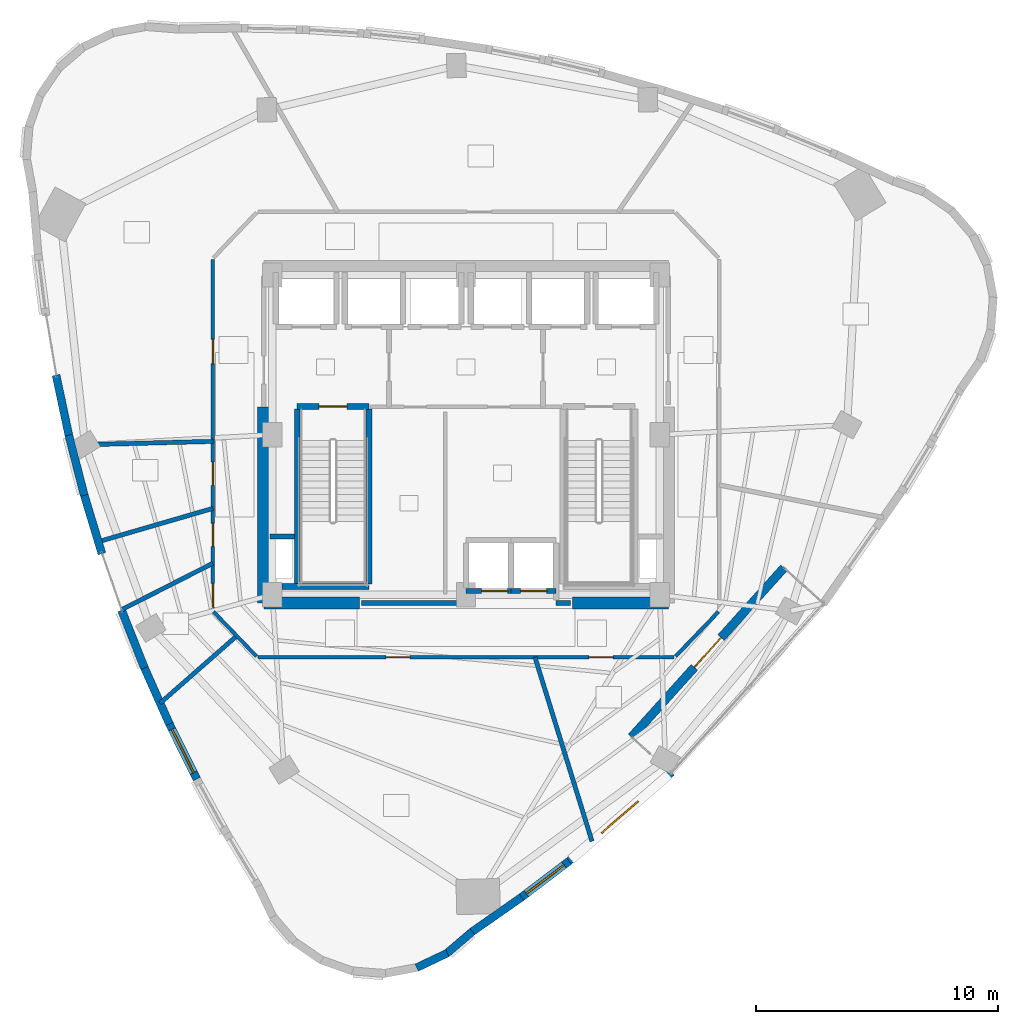
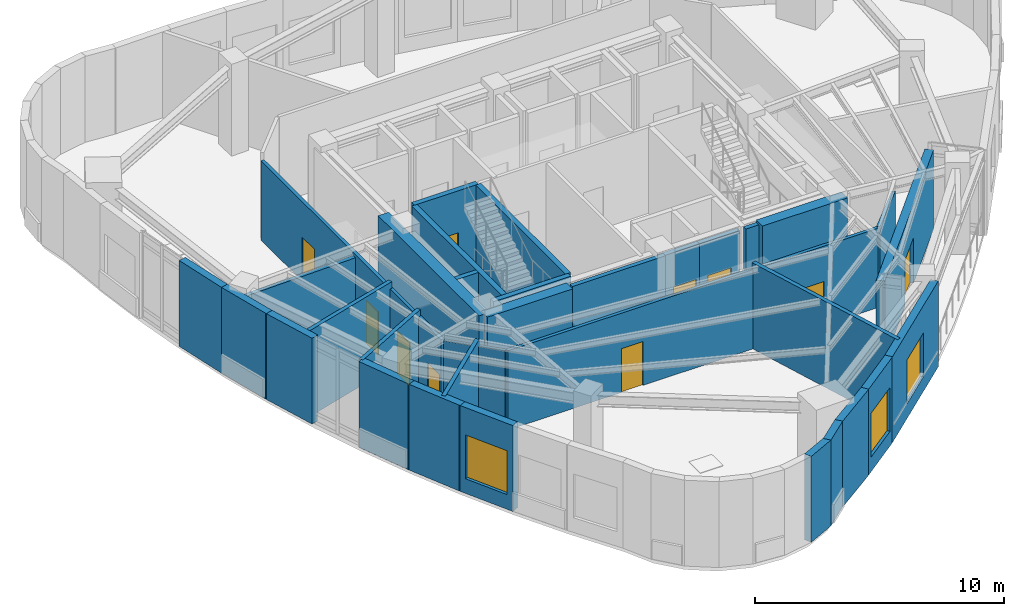
# One storey, part 12 of 18: 33 walls, 10 doors, 3 windows, 13 openings.
"""IFC4 building model written with IfcOpenShell, lengths in metres."""

import ifcopenshell
import ifcopenshell.guid

model = None  # the IFC model being written
_history = None  # IfcOwnerHistory: only IFC2X3 demands one
_inside = {}  # id of a spatial element -> (the spatial element, [elements in it])
_under = {}  # id of a project, library or spatial element -> (it, [spatial elements below it])
_declared = {}  # id of a project -> (the project, [libraries it declares])
_typed = {}  # id of a type object -> (the type object, [elements of that type])
_made_of = {}  # id of a material, layer set ... -> (it, [elements and type objects made of it])


def new_model(schema):
    """Start an empty IFC model of exactly this schema.

    Asked for "IFC4X3", IfcOpenShell would pick the latest addendum, in which some entities
    have other attributes; the version numbers below select the first issue.
    IFC2X3 requires an IfcOwnerHistory on every rooted entity: one is made here for all.
    """
    global model, _history
    if schema == "IFC4X3":
        model = ifcopenshell.file(schema_version=(4, 3, 0, 0))
    else:
        model = ifcopenshell.file(schema=schema)
    _inside.clear()
    _under.clear()
    _declared.clear()
    _typed.clear()
    _made_of.clear()
    _history = None
    if model.schema == "IFC2X3":
        org = make("IfcOrganization", Name="unknown")
        user = make(
            "IfcPersonAndOrganization",
            ThePerson=make("IfcPerson", FamilyName="unknown"),
            TheOrganization=org,
        )
        app = make(
            "IfcApplication",
            ApplicationDeveloper=org,
            Version="unknown",
            ApplicationFullName="unknown",
            ApplicationIdentifier="unknown",
        )
        _history = make(
            "IfcOwnerHistory",
            OwningUser=user,
            OwningApplication=app,
            ChangeAction="ADDED",
            CreationDate=0,
        )
    return model


def make(cls, **values):
    """One entity of the class cls with the attributes given. An attribute that is None is left unset."""
    return model.create_entity(
        cls, **{name: value for name, value in values.items() if value is not None}
    )


def rooted(cls, **values):
    """An entity with a GlobalId (a new one), such as an element, a storey or a relation."""
    return make(cls, GlobalId=ifcopenshell.guid.new(), OwnerHistory=_history, **values)


def si_unit(unit_type, name, prefix=None):
    """IfcSIUnit, for example si_unit("LENGTHUNIT", "METRE", prefix="MILLI")."""
    return make("IfcSIUnit", UnitType=unit_type, Prefix=prefix, Name=name)


def assignment(units):
    """IfcUnitAssignment: the units of a project."""
    return None if units is None else make("IfcUnitAssignment", Units=units)


def point(xyz):
    """IfcCartesianPoint."""
    return None if xyz is None else make("IfcCartesianPoint", Coordinates=xyz)


def direction(xyz):
    """IfcDirection."""
    return None if xyz is None else make("IfcDirection", DirectionRatios=xyz)


def frame(location, z_axis=None, x_axis=None):
    """IfcAxis2Placement3D, a coordinate frame: its origin and axes. An axis left out is left unset."""
    return make(
        "IfcAxis2Placement3D",
        Location=point(location),
        Axis=direction(z_axis),
        RefDirection=direction(x_axis),
    )


def frame_2d(location, x_axis=None):
    """IfcAxis2Placement2D, a coordinate frame in the plane: its origin and x axis."""
    return make(
        "IfcAxis2Placement2D", Location=point(location), RefDirection=direction(x_axis)
    )


def origin():
    """The frame at (0, 0, 0) with its axes left unset."""
    return frame((0.0, 0.0, 0.0))


def place(relative_to, where):
    """IfcLocalPlacement: puts the frame where relative to a parent placement (None: the world)."""
    return make(
        "IfcLocalPlacement", PlacementRelTo=relative_to, RelativePlacement=where
    )


def context(
    kind, dimensions, precision=None, world=None, true_north=None, identifier=None
):
    """IfcGeometricRepresentationContext, for example the 3D "Model" context."""
    return make(
        "IfcGeometricRepresentationContext",
        ContextIdentifier=identifier,
        ContextType=kind,
        CoordinateSpaceDimension=dimensions,
        Precision=precision,
        WorldCoordinateSystem=world,
        TrueNorth=true_north,
    )


def subcontext(parent, identifier, kind, view, scale=None):
    """IfcGeometricRepresentationSubContext, for example "Body" below "Model"."""
    return make(
        "IfcGeometricRepresentationSubContext",
        ContextIdentifier=identifier,
        ContextType=kind,
        ParentContext=parent,
        TargetScale=scale,
        TargetView=view,
    )


def project(units=None, contexts=None):
    """IfcProject with its units and contexts."""
    return rooted(
        "IfcProject",
        Name="project",
        RepresentationContexts=contexts,
        UnitsInContext=assignment(units),
    )


def spatial(cls, under=None, at=None, **own):
    """A site, building, storey or space (cls), placed at a placement, below another one or the project."""
    s = rooted(cls, ObjectPlacement=at, **own)
    if under is not None:
        _under.setdefault(under.id(), (under, []))[1].append(s)
    return s


def profile(cls, at=None, kind="AREA", **sizes):
    """A parametric profile (cls). Its sizes go by their IFC names, for example OverallWidth=200.0."""
    return make(cls, ProfileType=kind, Position=at, **sizes)


def rectangle(**sizes):
    """IfcRectangleProfileDef."""
    return profile("IfcRectangleProfileDef", **sizes)


def extrude(swept, where, along, depth):
    """IfcExtrudedAreaSolid: the profile swept, set in the frame where, extruded along a direction by depth."""
    return make(
        "IfcExtrudedAreaSolid",
        SweptArea=swept,
        Position=where,
        ExtrudedDirection=direction(along),
        Depth=depth,
    )


def shape(context_of_items, identifier, shape_type, items):
    """IfcShapeRepresentation: the items that make up one representation, for example the "Body"."""
    return make(
        "IfcShapeRepresentation",
        ContextOfItems=context_of_items,
        RepresentationIdentifier=identifier,
        RepresentationType=shape_type,
        Items=items,
    )


def material(Name=None, Category=None):
    """IfcMaterial."""
    return make("IfcMaterial", Name=Name, Category=Category)


def layer(
    of_material, thickness, ventilated=None, Name=None, Category=None, Priority=None
):
    """IfcMaterialLayer: one layer of a wall or slab, of a material (None: an air gap)."""
    return make(
        "IfcMaterialLayer",
        Material=of_material,
        LayerThickness=thickness,
        IsVentilated=ventilated,
        Name=Name,
        Category=Category,
        Priority=Priority,
    )


def layer_set(layers, Name=None):
    """IfcMaterialLayerSet."""
    return make("IfcMaterialLayerSet", MaterialLayers=layers, LayerSetName=Name)


def made_of(thing, what):
    """Note that an element or type object is made of a material, layer set ...; save() writes the relation."""
    if what is not None:
        _made_of.setdefault(what.id(), (what, []))[1].append(thing)
    return thing


def type_object(cls, material=None, **own):
    """A type object (cls), such as IfcWallType, which elements share."""
    return made_of(rooted(cls, **own), material)


def element(
    cls,
    number,
    at=None,
    inside=None,
    cuts=None,
    type_object=None,
    material=None,
    context=None,
    identifier="Body",
    shape_type=None,
    held_by="IfcProductDefinitionShape",
    body=None,
    shapes=None,
    **own,
):
    """One element of the class cls, such as IfcWall. Its Tag is "e" and its number.

    at: its placement. inside: the storey or other place that contains it. cuts: it is an
    opening in that element (IfcRelVoidsElement). A single representation is given by context,
    identifier, shape_type and body (its items); several are given by shapes. held_by: the class
    of the entity that holds the representations. save() writes the other relations.
    """
    e = rooted(cls, Tag="e%d" % number, ObjectPlacement=at, **own)
    if body is not None:
        shapes = [shape(context, identifier, shape_type, body)]
    if shapes is not None:
        e.Representation = make(held_by, Representations=shapes)
    if inside is not None:
        _inside.setdefault(inside.id(), (inside, []))[1].append(e)
    if cuts is not None:
        rooted(
            "IfcRelVoidsElement", RelatingBuildingElement=cuts, RelatedOpeningElement=e
        )
    if type_object is not None:
        _typed.setdefault(type_object.id(), (type_object, []))[1].append(e)
    return made_of(e, material)


def fill(opening, filler):
    """IfcRelFillsElement: the door or window that sits in an opening."""
    return rooted(
        "IfcRelFillsElement",
        RelatingOpeningElement=opening,
        RelatedBuildingElement=filler,
    )


def aggregate(whole, parts):
    """IfcRelAggregates: a whole, such as a stair, and the parts it consists of."""
    return rooted("IfcRelAggregates", RelatingObject=whole, RelatedObjects=parts)


def save(model, path):
    """Write the relations noted so far, then the file.

    IfcRelAggregates (storeys below a building ...), IfcRelContainedInSpatialStructure (elements
    in a storey), IfcRelDefinesByType, IfcRelAssociatesMaterial and IfcRelDeclares: one each for
    every whole, place, type object, material and project.
    """
    for whole, parts in _under.values():
        aggregate(whole, parts)
    for where, things in _inside.values():
        rooted(
            "IfcRelContainedInSpatialStructure",
            RelatedElements=things,
            RelatingStructure=where,
        )
    for kind, things in _typed.values():
        rooted("IfcRelDefinesByType", RelatedObjects=things, RelatingType=kind)
    for what, things in _made_of.values():
        rooted("IfcRelAssociatesMaterial", RelatedObjects=things, RelatingMaterial=what)
    for by, libraries in _declared.values():
        rooted("IfcRelDeclares", RelatingContext=by, RelatedDefinitions=libraries)
    model.write(path)


model = new_model("IFC4")

# Units and contexts
model_context = context("Model", 3, precision=1e-05, world=origin(), true_north=direction((0.0, 1.0)))
body_context = subcontext(model_context, "Body", "Model", "MODEL_VIEW")
ifc_project = project(units=[si_unit("LENGTHUNIT", "METRE"), si_unit("AREAUNIT", "SQUARE_METRE"), si_unit("VOLUMEUNIT", "CUBIC_METRE"), si_unit("PLANEANGLEUNIT", "RADIAN"), si_unit("MASSUNIT", "GRAM", prefix="KILO")], contexts=[model_context])

# Site, building, storey
site_placement = place(None, origin())
site = spatial("IfcSite", under=ifc_project, at=site_placement, CompositionType="ELEMENT")
building_placement = place(site_placement, origin())
building = spatial("IfcBuilding", under=site, at=building_placement, Name="Ndelora Gate Hotel", CompositionType="ELEMENT")
storey_placement = place(building_placement, frame((0.0, 0.0, 173.75)))
storey = spatial("IfcBuildingStorey", under=building, at=storey_placement, Name="L43", CompositionType="ELEMENT", Elevation=173.75)

# Walls
ifc_material_1 = material(Name="Acoustic Double-Stud Gypsum Assembly", Category="gypsum")
ifc_layer_1 = layer(ifc_material_1, 0.179931640625)
ifc_layer_set_1 = layer_set([ifc_layer_1], Name="Acoustic Double-Stud Gypsum Assembly")
wall_type_1 = type_object("IfcWallType", Name="WL-ACOUST-180", PredefinedType="PARTITIONING", material=ifc_layer_set_1)
wall_1_placement = place(storey_placement, frame((-9.464111328125, -8.3037109375, 0.0), z_axis=(0.0, 0.0, 1.0), x_axis=(-0.751703129052, -0.659501634398, 0.0)))
element("IfcWall", 1, at=wall_1_placement, inside=storey, type_object=wall_type_1, Name="L43 Interior Wall IW-3", PredefinedType="PARTITIONING", context=body_context, shape_type="SweptSolid", body=[
    extrude(rectangle(XDim=4.210205078125, YDim=0.179931640625, at=frame_2d((2.10498046875, 0.0))), origin(), (0.0, 0.0, 1.0), 4.2099609375),
])
wall_2_placement = place(storey_placement, frame((2.84521484375, -9.179931640625, 0.0), z_axis=(0.0, 0.0, 1.0), x_axis=(0.296001653507, -0.955187427221, 0.0)))
element("IfcWall", 2, at=wall_2_placement, inside=storey, type_object=wall_type_1, Name="L43 Interior Wall IW-3", PredefinedType="PARTITIONING", context=body_context, shape_type="SweptSolid", body=[
    extrude(rectangle(XDim=7.95849609375, YDim=0.179931640625, at=frame_2d((3.979248046875, 0.0))), origin(), (0.0, 0.0, 1.0), 4.2099609375),
])
wall_3_placement = place(storey_placement, frame((-10.449951171875, -0.272705078125, 0.0), z_axis=(0.0, 0.0, 1.0), x_axis=(-0.999660448282, -0.026057400883, 0.0)))
element("IfcWall", 3, at=wall_3_placement, inside=storey, type_object=wall_type_1, Name="L43 Interior Wall IW-3", PredefinedType="PARTITIONING", context=body_context, shape_type="SweptSolid", body=[
    extrude(rectangle(XDim=5.846435546875, YDim=0.179931640625, at=frame_2d((2.92333984375, 0.0))), origin(), (0.0, 0.0, 1.0), 3.739990234375),
])
wall_4_placement = place(storey_placement, frame((-10.449951171875, -3.0390625, 0.0), z_axis=(0.0, 0.0, 1.0), x_axis=(-0.960221623397, -0.279239026573, 0.0)))
element("IfcWall", 4, at=wall_4_placement, inside=storey, type_object=wall_type_1, Name="L43 Interior Wall IW-3", PredefinedType="PARTITIONING", context=body_context, shape_type="SweptSolid", body=[
    extrude(rectangle(XDim=4.928466796875, YDim=0.179931640625, at=frame_2d((2.46435546875, 0.0))), origin(), (0.0, 0.0, 1.0), 4.2099609375),
])
wall_5_placement = place(storey_placement, frame((-10.449951171875, -5.306640625, 0.0), z_axis=(0.0, 0.0, 1.0), x_axis=(-0.891631325456, -0.452762166557, 0.0)))
element("IfcWall", 5, at=wall_5_placement, inside=storey, type_object=wall_type_1, Name="L43 Interior Wall IW-3", PredefinedType="PARTITIONING", context=body_context, shape_type="SweptSolid", body=[
    extrude(rectangle(XDim=4.235107421875, YDim=0.179931640625, at=frame_2d((2.11767578125, 0.0))), origin(), (0.0, 0.0, 1.0), 4.2099609375),
])
ifc_material_2 = material(Name="Clay Brick Masonry", Category="masonry")
ifc_layer_2 = layer(ifc_material_2, 0.330078125)
ifc_layer_set_2 = layer_set([ifc_layer_2], Name="Clay Brick Masonry")
wall_type_2 = type_object("IfcWallType", Name="WL-BRICK-330", PredefinedType="SOLIDWALL", material=ifc_layer_set_2)
wall_6_placement = place(storey_placement, frame((-16.388916015625, -0.061279296875, 0.0), z_axis=(0.0, 0.0, 1.0), x_axis=(-0.208022879961, 0.978123960146, 0.0)))
element("IfcWall", 6, at=wall_6_placement, inside=storey, type_object=wall_type_2, Name="L43 Tower Brick Pier-and-Spandrel Wall TWR-12", PredefinedType="SOLIDWALL", context=body_context, shape_type="SweptSolid", body=[
    extrude(rectangle(XDim=2.57958984375, YDim=0.330078125, at=frame_2d((1.289794921875, 0.0))), origin(), (0.0, 0.0, 1.0), 4.2099609375),
])
wall_7_placement = place(storey_placement, frame((-15.760986328125, -2.502197265625, 0.0), z_axis=(0.0, 0.0, 1.0), x_axis=(-0.248743226802, 0.968569464272, 0.0)))
element("IfcWall", 7, at=wall_7_placement, inside=storey, type_object=wall_type_2, Name="L43 Tower Brick Pier-and-Spandrel Wall TWR-13", PredefinedType="SOLIDWALL", context=body_context, shape_type="SweptSolid", body=[
    extrude(rectangle(XDim=2.570556640625, YDim=0.330078125, at=frame_2d((1.28515625, 0.0))), origin(), (0.0, 0.0, 1.0), 4.2099609375),
])
wall_8_placement = place(storey_placement, frame((-15.032958984375, -4.91064453125, 0.0), z_axis=(0.0, 0.0, 1.0), x_axis=(-0.288953589152, 0.957343106371, 0.0)))
element("IfcWall", 8, at=wall_8_placement, inside=storey, type_object=wall_type_2, Name="L43 Tower Brick Pier-and-Spandrel Wall TWR-14", PredefinedType="SOLIDWALL", context=body_context, shape_type="SweptSolid", body=[
    extrude(rectangle(XDim=2.56591796875, YDim=0.330078125, at=frame_2d((1.282958984375, 0.0))), origin(), (0.0, 0.0, 1.0), 4.2099609375),
])
wall_9_placement = place(storey_placement, frame((-13.275390625, -9.629638671875, 0.0), z_axis=(0.0, 0.0, 1.0), x_axis=(-0.368145960329, 0.929768009717, 0.0)))
element("IfcWall", 9, at=wall_9_placement, inside=storey, type_object=wall_type_2, Name="L43 Tower Brick Pier-and-Spandrel Wall TWR-16", PredefinedType="SOLIDWALL", context=body_context, shape_type="SweptSolid", body=[
    extrude(rectangle(XDim=2.5703125, YDim=0.330078125, at=frame_2d((1.28515625, 0.0))), origin(), (0.0, 0.0, 1.0), 4.2099609375),
])
wall_10_placement = place(storey_placement, frame((-12.24609375, -11.940185546875, 0.0), z_axis=(0.0, 0.0, 1.0), x_axis=(-0.406630213632, 0.913592835656, 0.0)))
element("IfcWall", 10, at=wall_10_placement, inside=storey, type_object=wall_type_2, Name="L43 Tower Brick Pier-and-Spandrel Wall TWR-17", PredefinedType="SOLIDWALL", context=body_context, shape_type="SweptSolid", body=[
    extrude(rectangle(XDim=2.579345703125, YDim=0.330078125, at=frame_2d((1.28955078125, 0.0))), origin(), (0.0, 0.0, 1.0), 4.2099609375),
])

# Wall, opening, window
wall_11_placement = place(storey_placement, frame((-11.116455078125, -14.218017578125, 0.0), z_axis=(0.0, 0.0, 1.0), x_axis=(-0.44393335953, 0.896059803973, 0.0)))
wall_11 = element("IfcWall", 11, at=wall_11_placement, inside=storey, type_object=wall_type_2, Name="L43 Tower Brick Pier-and-Spandrel Wall TWR-18", PredefinedType="SOLIDWALL", context=body_context, shape_type="SweptSolid", body=[
    extrude(rectangle(XDim=2.592529296875, YDim=0.330078125, at=frame_2d((1.29638671875, 0.0))), origin(), (0.0, 0.0, 1.0), 4.2099609375),
])
opening_1_placement = place(wall_11_placement, frame((0.296142578125, 0.0, 0.719970703125)))
opening_1 = element("IfcOpeningElement", 12, at=opening_1_placement, cuts=wall_11, Name="Opening W05", PredefinedType="OPENING", context=body_context, shape_type="SweptSolid", body=[
    extrude(rectangle(XDim=2.0, YDim=2.14990234375, at=frame_2d((1.0, 1.074951171875))), frame((0.0, 0.175048828125, 0.0), z_axis=(0.0, -1.0, 0.0), x_axis=(1.0, 0.0, 0.0)), (0.0, 0.0, 1.0), 0.35009765625),
])
ifc_material_3 = material(Name="Insulated Low-E Double Glazing in Bronze Aluminium Frame", Category="aluminium")
window_type = type_object("IfcWindowType", Name="WN-SKY-2000", PartitioningType="SINGLE_PANEL", PredefinedType="WINDOW", material=ifc_material_3)
window_1_placement = place(opening_1_placement, origin())
window_1 = element("IfcWindow", 13, at=window_1_placement, inside=storey, type_object=window_type, Name="L43 Deep-Set Brick-Pier Window W05", OverallHeight=2.14990234375, OverallWidth=2.0, PartitioningType="SINGLE_PANEL", PredefinedType="WINDOW", context=body_context, shape_type="SweptSolid", body=[
    extrude(rectangle(XDim=2.0, YDim=2.14990234375, at=frame_2d((1.0, 1.074951171875))), frame((0.0, 0.030029296875, 0.0), z_axis=(0.0, -1.0, 0.0), x_axis=(1.0, 0.0, 0.0)), (0.0, 0.0, 1.0), 0.06005859375),
])
fill(opening_1, window_1)

# Walls
wall_12_placement = place(storey_placement, frame((-0.768798828125, -21.397705078125, 0.0), z_axis=(0.0, 0.0, 1.0), x_axis=(-0.902597460438, -0.43048556818, 0.0)))
element("IfcWall", 14, at=wall_12_placement, inside=storey, type_object=wall_type_2, Name="L43 Tower Brick Pier-and-Spandrel Wall TWR-27", PredefinedType="SOLIDWALL", context=body_context, shape_type="SweptSolid", body=[
    extrude(rectangle(XDim=1.40771484375, YDim=0.330078125, at=frame_2d((0.703857421875, 0.0))), origin(), (0.0, 0.0, 1.0), 4.2099609375),
])
wall_13_placement = place(storey_placement, frame((0.259765625, -20.5107421875, 0.0), z_axis=(0.0, 0.0, 1.0), x_axis=(-0.760357614302, -0.649504656159, 0.0)))
element("IfcWall", 15, at=wall_13_placement, inside=storey, type_object=wall_type_2, Name="L43 Tower Brick Pier-and-Spandrel Wall TWR-28", PredefinedType="SOLIDWALL", context=body_context, shape_type="SweptSolid", body=[
    extrude(rectangle(XDim=1.4072265625, YDim=0.330078125, at=frame_2d((0.70361328125, 0.0))), origin(), (0.0, 0.0, 1.0), 4.2099609375),
])
wall_14_placement = place(storey_placement, frame((2.29296875, -19.09228515625, 0.0), z_axis=(0.0, 0.0, 1.0), x_axis=(-0.819594578162, -0.572943913003, 0.0)))
element("IfcWall", 16, at=wall_14_placement, inside=storey, type_object=wall_type_2, Name="L43 Tower Brick Pier-and-Spandrel Wall TWR-29", PredefinedType="SOLIDWALL", context=body_context, shape_type="SweptSolid", body=[
    extrude(rectangle(XDim=2.529052734375, YDim=0.330078125, at=frame_2d((1.2646484375, 0.0))), origin(), (0.0, 0.0, 1.0), 4.2099609375),
])

# Wall, opening, window
wall_15_placement = place(storey_placement, frame((4.251708984375, -17.60595703125, 0.0), z_axis=(0.0, 0.0, 1.0), x_axis=(-0.7968948115, -0.60411808399, 0.0)))
wall_15 = element("IfcWall", 17, at=wall_15_placement, inside=storey, type_object=wall_type_2, Name="L43 Tower Brick Pier-and-Spandrel Wall TWR-30", PredefinedType="SOLIDWALL", context=body_context, shape_type="SweptSolid", body=[
    extrude(rectangle(XDim=2.5087890625, YDim=0.330078125, at=frame_2d((1.25439453125, 0.0))), origin(), (0.0, 0.0, 1.0), 4.2099609375),
])
opening_2_placement = place(wall_15_placement, frame((0.260009765625, 0.0, 0.719970703125)))
opening_2 = element("IfcOpeningElement", 18, at=opening_2_placement, cuts=wall_15, Name="Opening W05", PredefinedType="OPENING", context=body_context, shape_type="SweptSolid", body=[
    extrude(rectangle(XDim=1.949951171875, YDim=2.14990234375, at=frame_2d((0.97509765625, 1.074951171875))), frame((0.0, 0.175048828125, 0.0), z_axis=(0.0, -1.0, 0.0), x_axis=(1.0, 0.0, 0.0)), (0.0, 0.0, 1.0), 0.35009765625),
])
window_2_placement = place(opening_2_placement, origin())
window_2 = element("IfcWindow", 19, at=window_2_placement, inside=storey, type_object=window_type, Name="L43 Deep-Set Brick-Pier Window W05", OverallHeight=2.14990234375, OverallWidth=1.949951171875, PartitioningType="SINGLE_PANEL", PredefinedType="WINDOW", context=body_context, shape_type="SweptSolid", body=[
    extrude(rectangle(XDim=1.949951171875, YDim=2.14990234375, at=frame_2d((0.97509765625, 1.074951171875))), frame((0.0, 0.030029296875, 0.0), z_axis=(0.0, -1.0, 0.0), x_axis=(1.0, 0.0, 0.0)), (0.0, 0.0, 1.0), 0.06005859375),
])
fill(opening_2, window_2)

wall_16_placement = place(storey_placement, frame((8.4892578125, -13.934814453125, 0.0), z_axis=(0.0, 0.0, 1.0), x_axis=(-0.755999446819, -0.654572254536, 0.0)))
wall_16 = element("IfcWall", 20, at=wall_16_placement, inside=storey, type_object=wall_type_2, Name="L43 Tower Brick Pier-and-Spandrel Wall TWR-31", PredefinedType="SOLIDWALL", context=body_context, shape_type="SweptSolid", body=[
    extrude(rectangle(XDim=5.656494140625, YDim=0.330078125, at=frame_2d((2.828125, 0.0))), origin(), (0.0, 0.0, 1.0), 4.2099609375),
])
opening_3_placement = place(wall_16_placement, frame((1.828369140625, 0.0, 0.719970703125)))
opening_3 = element("IfcOpeningElement", 21, at=opening_3_placement, cuts=wall_16, Name="Opening W05", PredefinedType="OPENING", context=body_context, shape_type="SweptSolid", body=[
    extrude(rectangle(XDim=2.0, YDim=2.14990234375, at=frame_2d((1.0, 1.074951171875))), frame((0.0, 0.175048828125, 0.0), z_axis=(0.0, -1.0, 0.0), x_axis=(1.0, 0.0, 0.0)), (0.0, 0.0, 1.0), 0.35009765625),
])
window_3_placement = place(opening_3_placement, origin())
window_3 = element("IfcWindow", 22, at=window_3_placement, inside=storey, type_object=window_type, Name="L43 Deep-Set Brick-Pier Window W05", OverallHeight=2.14990234375, OverallWidth=2.0, PartitioningType="SINGLE_PANEL", PredefinedType="WINDOW", context=body_context, shape_type="SweptSolid", body=[
    extrude(rectangle(XDim=2.0, YDim=2.14990234375, at=frame_2d((1.0, 1.074951171875))), frame((0.0, 0.030029296875, 0.0), z_axis=(0.0, -1.0, 0.0), x_axis=(1.0, 0.0, 0.0)), (0.0, 0.0, 1.0), 0.06005859375),
])
fill(opening_3, window_3)

# Wall, opening, door
ifc_layer_3 = layer(ifc_material_2, 0.360107421875)
ifc_layer_set_3 = layer_set([ifc_layer_3], Name="Clay Brick Masonry")
wall_type_3 = type_object("IfcWallType", Name="WL-BRICK-360", PredefinedType="SOLIDWALL", material=ifc_layer_set_3)
wall_17_placement = place(storey_placement, frame((13.125244140625, -5.49365234375, 0.0), z_axis=(0.0, 0.0, 1.0), x_axis=(-0.669139779012, -0.743136566281, 0.0)))
wall_17 = element("IfcWall", 23, at=wall_17_placement, inside=storey, type_object=wall_type_3, Name="L43 Sky-Garden Loggia Rear Brick Wall", PredefinedType="SOLIDWALL", context=body_context, shape_type="SweptSolid", body=[
    extrude(rectangle(XDim=9.39990234375, YDim=0.360107421875, at=frame_2d((4.699951171875, 0.0))), origin(), (0.0, 0.0, 1.0), 3.889892578125),
])
opening_4_placement = place(wall_17_placement, frame((3.875, 0.0, 0.0)))
opening_4 = element("IfcOpeningElement", 24, at=opening_4_placement, cuts=wall_17, Name="Opening TD1", PredefinedType="OPENING", context=body_context, shape_type="SweptSolid", body=[
    extrude(rectangle(XDim=1.64990234375, YDim=2.25, at=frame_2d((0.824951171875, 1.125))), frame((0.0, 0.18994140625, 0.0), z_axis=(0.0, -1.0, 0.0), x_axis=(1.0, 0.0, 0.0)), (0.0, 0.0, 1.0), 0.380126953125),
])
ifc_material_4 = material(Name="Architectural Bronze Glazed Door", Category="metal")
door_type_1 = type_object("IfcDoorType", Name="DR-TER-1650", OperationType="DOUBLE_DOOR_SINGLE_SWING", PredefinedType="DOOR", material=ifc_material_4)
door_1_placement = place(opening_4_placement, origin())
door_1 = element("IfcDoor", 25, at=door_1_placement, inside=storey, type_object=door_type_1, Name="L43 Sky-Garden Terrace Double Door TD1", OperationType="DOUBLE_DOOR_SINGLE_SWING", OverallHeight=2.25, OverallWidth=1.64990234375, PredefinedType="DOOR", context=body_context, shape_type="SweptSolid", body=[
    extrude(rectangle(XDim=1.64990234375, YDim=2.25, at=frame_2d((0.824951171875, 1.125))), frame((0.0, 0.02490234375, 0.0), z_axis=(0.0, -1.0, 0.0), x_axis=(1.0, 0.0, 0.0)), (0.0, 0.0, 1.0), 0.050048828125),
])
fill(opening_4, door_1)

# Walls
ifc_material_5 = material(Name="Concrete C50/60", Category="concrete")
ifc_layer_4 = layer(ifc_material_5, 0.5)
ifc_layer_set_4 = layer_set([ifc_layer_4], Name="Concrete C50/60")
wall_type_4 = type_object("IfcWallType", Name="WL-CORE-500", PredefinedType="SHEAR", material=ifc_layer_set_4)
for number, where, z_axis, x_axis, name in (
    (26, (-8.35009765625, -6.949951171875, 0.0), (0.0, 0.0, 1.0), (1.0, 0.0, 0.0), "L43 Core Shear Wall S-W"),
    (27, (4.39990234375, -6.949951171875, 0.0), (0.0, 0.0, 1.0), (1.0, 0.0, 0.0), "L43 Core Shear Wall S-E"),
):
    element("IfcWall", number, at=place(storey_placement, frame(where, z_axis=z_axis, x_axis=x_axis)), inside=storey, type_object=wall_type_4, Name=name, PredefinedType="SHEAR", context=body_context, shape_type="SweptSolid", body=[
        extrude(rectangle(XDim=3.9501953125, YDim=0.5, at=frame_2d((1.97509765625, 0.0))), origin(), (0.0, 0.0, 1.0), 4.2099609375),
    ])
wall_18_placement = place(storey_placement, frame((-8.35009765625, -6.949951171875, 0.0), z_axis=(0.0, 0.0, 1.0), x_axis=(0.0, 1.0, 0.0)))
element("IfcWall", 28, at=wall_18_placement, inside=storey, type_object=wall_type_4, Name="L43 Core Shear Wall W", PredefinedType="SHEAR", context=body_context, shape_type="SweptSolid", body=[
    extrude(rectangle(XDim=8.099853515625, YDim=0.5, at=frame_2d((4.0498046875, 0.0))), origin(), (0.0, 0.0, 1.0), 4.2099609375),
])
ifc_material_6 = material(Name="Concrete C40/50", Category="concrete")
ifc_layer_5 = layer(ifc_material_6, 0.199951171875)
ifc_layer_set_5 = layer_set([ifc_layer_5], Name="Concrete C40/50")
wall_type_5 = type_object("IfcWallType", Name="WL-FIRE-200", PredefinedType="PARTITIONING", material=ifc_layer_set_5)
wall_19_placement = place(storey_placement, frame((-4.320068359375, -6.949951171875, 0.0), z_axis=(0.0, 0.0, 1.0), x_axis=(1.0, 0.0, 0.0)))
element("IfcWall", 29, at=wall_19_placement, inside=storey, type_object=wall_type_5, Name="L43 Interior Wall IW-2", PredefinedType="PARTITIONING", context=body_context, shape_type="SweptSolid", body=[
    extrude(rectangle(XDim=4.320068359375, YDim=0.199951171875, at=frame_2d((2.16015625, 0.0))), origin(), (0.0, 0.0, 1.0), 4.2099609375),
])
wall_20_placement = place(storey_placement, frame((3.719970703125, -6.949951171875, 0.0), z_axis=(0.0, 0.0, 1.0), x_axis=(1.0, 0.0, 0.0)))
element("IfcWall", 30, at=wall_20_placement, inside=storey, type_object=wall_type_5, Name="L43 Interior Wall IW-2", PredefinedType="PARTITIONING", context=body_context, shape_type="SweptSolid", body=[
    extrude(rectangle(XDim=0.60009765625, YDim=0.199951171875, at=frame_2d((0.300048828125, 0.0))), origin(), (0.0, 0.0, 1.0), 4.2099609375),
])

# Wall, openings, doors
ifc_material_7 = material(Name="Fire-Rated Gypsum Stud Partition", Category="gypsum")
ifc_layer_6 = layer(ifc_material_7, 0.14990234375)
ifc_layer_set_6 = layer_set([ifc_layer_6], Name="Fire-Rated Gypsum Stud Partition")
wall_type_6 = type_object("IfcWallType", Name="WL-PART-150", PredefinedType="PARTITIONING", material=ifc_layer_set_6)
wall_21_placement = place(storey_placement, frame((8.580078125, -9.179931640625, 0.0), z_axis=(0.0, 0.0, 1.0), x_axis=(-1.0, 0.0, 0.0)))
wall_21 = element("IfcWall", 31, at=wall_21_placement, inside=storey, type_object=wall_type_6, Name="L43 Interior Wall IW-5", PredefinedType="PARTITIONING", context=body_context, shape_type="SweptSolid", body=[
    extrude(rectangle(XDim=17.16015625, YDim=0.14990234375, at=frame_2d((8.580078125, 0.0))), origin(), (0.0, 0.0, 1.0), 3.889892578125),
])
opening_5_placement = place(wall_21_placement, frame((2.50732421875, 0.0, 0.0)))
opening_5 = element("IfcOpeningElement", 32, at=opening_5_placement, cuts=wall_21, Name="Opening D01", PredefinedType="OPENING", context=body_context, shape_type="SweptSolid", body=[
    extrude(rectangle(XDim=1.0, YDim=2.14990234375, at=frame_2d((0.5, 1.074951171875))), frame((0.0, 0.0849609375, 0.0), z_axis=(0.0, -1.0, 0.0), x_axis=(1.0, 0.0, 0.0)), (0.0, 0.0, 1.0), 0.169921875),
])
opening_6_placement = place(wall_21_placement, frame((10.893798828125, 0.0, 0.0)))
opening_6 = element("IfcOpeningElement", 33, at=opening_6_placement, cuts=wall_21, Name="Opening D01", PredefinedType="OPENING", context=body_context, shape_type="SweptSolid", body=[
    extrude(rectangle(XDim=1.0, YDim=2.14990234375, at=frame_2d((0.5, 1.074951171875))), frame((0.0, 0.0849609375, 0.0), z_axis=(0.0, -1.0, 0.0), x_axis=(1.0, 0.0, 0.0)), (0.0, 0.0, 1.0), 0.169921875),
])
ifc_material_8 = material(Name="Acoustic Hardwood Guest Entrance Door", Category="wood")
door_type_2 = type_object("IfcDoorType", Name="DR-COR-1000", OperationType="SINGLE_SWING_LEFT", PredefinedType="DOOR", material=ifc_material_8)
door_2_placement = place(opening_5_placement, origin())
door_2 = element("IfcDoor", 34, at=door_2_placement, inside=storey, type_object=door_type_2, Name="L43 Sky Garden Tea Dining Room Entrance Door", OperationType="SINGLE_SWING_LEFT", OverallHeight=2.14990234375, OverallWidth=1.0, PredefinedType="DOOR", context=body_context, shape_type="SweptSolid", body=[
    extrude(rectangle(XDim=1.0, YDim=2.14990234375, at=frame_2d((0.5, 1.074951171875))), frame((0.0, 0.02490234375, 0.0), z_axis=(0.0, -1.0, 0.0), x_axis=(1.0, 0.0, 0.0)), (0.0, 0.0, 1.0), 0.050048828125),
])
fill(opening_5, door_2)
door_3_placement = place(opening_6_placement, origin())
door_3 = element("IfcDoor", 35, at=door_3_placement, inside=storey, type_object=door_type_2, Name="L43 Upper Sky Reception Salon Entrance Door", OperationType="SINGLE_SWING_LEFT", OverallHeight=2.14990234375, OverallWidth=1.0, PredefinedType="DOOR", context=body_context, shape_type="SweptSolid", body=[
    extrude(rectangle(XDim=1.0, YDim=2.14990234375, at=frame_2d((0.5, 1.074951171875))), frame((0.0, 0.02490234375, 0.0), z_axis=(0.0, -1.0, 0.0), x_axis=(1.0, 0.0, 0.0)), (0.0, 0.0, 1.0), 0.050048828125),
])
fill(opening_6, door_3)

# Wall
wall_22_placement = place(storey_placement, frame((10.42236328125, -7.308837890625, 0.0), z_axis=(0.0, 0.0, 1.0), x_axis=(-0.693764562202, -0.720201869085, 0.0)))
element("IfcWall", 36, at=wall_22_placement, inside=storey, type_object=wall_type_6, Name="L43 Interior Wall IW-5", PredefinedType="PARTITIONING", context=body_context, shape_type="SweptSolid", body=[
    extrude(rectangle(XDim=2.55810546875, YDim=0.14990234375, at=frame_2d((1.279052734375, 0.0))), origin(), (0.0, 0.0, 1.0), 3.889892578125),
])

# Wall, openings, doors
wall_23_placement = place(storey_placement, frame((-10.449951171875, -7.239990234375, 0.0), z_axis=(0.0, 0.0, 1.0), x_axis=(0.0, 1.0, 0.0)))
wall_23 = element("IfcWall", 37, at=wall_23_placement, inside=storey, type_object=wall_type_6, Name="L43 Interior Wall IW-5", PredefinedType="PARTITIONING", context=body_context, shape_type="SweptSolid", body=[
    extrude(rectangle(XDim=14.47998046875, YDim=0.14990234375, at=frame_2d((7.239990234375, 0.0))), origin(), (0.0, 0.0, 1.0), 3.889892578125),
])
opening_7_placement = place(wall_23_placement, frame((2.63232421875, 0.0, 0.0)))
opening_7 = element("IfcOpeningElement", 38, at=opening_7_placement, cuts=wall_23, Name="Opening D05", PredefinedType="OPENING", context=body_context, shape_type="SweptSolid", body=[
    extrude(rectangle(XDim=0.949951171875, YDim=2.10009765625, at=frame_2d((0.47509765625, 1.050048828125))), frame((0.0, 0.0849609375, 0.0), z_axis=(0.0, -1.0, 0.0), x_axis=(1.0, 0.0, 0.0)), (0.0, 0.0, 1.0), 0.169921875),
])
opening_8_placement = place(wall_23_placement, frame((0.139892578125, 0.0, 0.0)))
opening_8 = element("IfcOpeningElement", 39, at=opening_8_placement, cuts=wall_23, Name="Opening D05", PredefinedType="OPENING", context=body_context, shape_type="SweptSolid", body=[
    extrude(rectangle(XDim=0.949951171875, YDim=2.10009765625, at=frame_2d((0.47509765625, 1.050048828125))), frame((0.0, 0.0849609375, 0.0), z_axis=(0.0, -1.0, 0.0), x_axis=(1.0, 0.0, 0.0)), (0.0, 0.0, 1.0), 0.169921875),
])
opening_9_placement = place(wall_23_placement, frame((5.15576171875, 0.0, 0.0)))
opening_9 = element("IfcOpeningElement", 40, at=opening_9_placement, cuts=wall_23, Name="Opening D05", PredefinedType="OPENING", context=body_context, shape_type="SweptSolid", body=[
    extrude(rectangle(XDim=0.949951171875, YDim=2.10009765625, at=frame_2d((0.47509765625, 1.050048828125))), frame((0.0, 0.0849609375, 0.0), z_axis=(0.0, -1.0, 0.0), x_axis=(1.0, 0.0, 0.0)), (0.0, 0.0, 1.0), 0.169921875),
])
opening_10_placement = place(wall_23_placement, frame((10.173583984375, 0.0, 0.0)))
opening_10 = element("IfcOpeningElement", 41, at=opening_10_placement, cuts=wall_23, Name="Opening D01", PredefinedType="OPENING", context=body_context, shape_type="SweptSolid", body=[
    extrude(rectangle(XDim=1.0, YDim=2.14990234375, at=frame_2d((0.5, 1.074951171875))), frame((0.0, 0.0849609375, 0.0), z_axis=(0.0, -1.0, 0.0), x_axis=(1.0, 0.0, 0.0)), (0.0, 0.0, 1.0), 0.169921875),
])
ifc_material_9 = material(Name="Accessible Restroom Wide-Clearance Door", Category="wood")
door_type_3 = type_object("IfcDoorType", Name="DR-ACC-950", OperationType="SINGLE_SWING_LEFT", PredefinedType="DOOR", material=ifc_material_9)
door_4_placement = place(opening_7_placement, origin())
door_4 = element("IfcDoor", 42, at=door_4_placement, inside=storey, type_object=door_type_3, Name="L43 Female Public Restroom Entrance Door", OperationType="SINGLE_SWING_RIGHT", OverallHeight=2.10009765625, OverallWidth=0.949951171875, PredefinedType="DOOR", context=body_context, shape_type="SweptSolid", body=[
    extrude(rectangle(XDim=0.949951171875, YDim=2.10009765625, at=frame_2d((0.47509765625, 1.050048828125))), frame((0.0, 0.02490234375, 0.0), z_axis=(0.0, -1.0, 0.0), x_axis=(1.0, 0.0, 0.0)), (0.0, 0.0, 1.0), 0.050048828125),
])
fill(opening_7, door_4)
door_5_placement = place(opening_8_placement, origin())
door_5 = element("IfcDoor", 43, at=door_5_placement, inside=storey, type_object=door_type_3, Name="L43 Accessible WC Entrance Door", OperationType="SINGLE_SWING_LEFT", OverallHeight=2.10009765625, OverallWidth=0.949951171875, PredefinedType="DOOR", context=body_context, shape_type="SweptSolid", body=[
    extrude(rectangle(XDim=0.949951171875, YDim=2.10009765625, at=frame_2d((0.47509765625, 1.050048828125))), frame((0.0, 0.02490234375, 0.0), z_axis=(0.0, -1.0, 0.0), x_axis=(1.0, 0.0, 0.0)), (0.0, 0.0, 1.0), 0.050048828125),
])
fill(opening_8, door_5)
door_6_placement = place(opening_9_placement, origin())
door_6 = element("IfcDoor", 44, at=door_6_placement, inside=storey, type_object=door_type_3, Name="L43 Male Public Restroom Entrance Door", OperationType="SINGLE_SWING_RIGHT", OverallHeight=2.10009765625, OverallWidth=0.949951171875, PredefinedType="DOOR", context=body_context, shape_type="SweptSolid", body=[
    extrude(rectangle(XDim=0.949951171875, YDim=2.10009765625, at=frame_2d((0.47509765625, 1.050048828125))), frame((0.0, 0.02490234375, 0.0), z_axis=(0.0, -1.0, 0.0), x_axis=(1.0, 0.0, 0.0)), (0.0, 0.0, 1.0), 0.050048828125),
])
fill(opening_9, door_6)
door_7_placement = place(opening_10_placement, origin())
door_7 = element("IfcDoor", 45, at=door_7_placement, inside=storey, type_object=door_type_2, Name="L43 Highland Sculpture Salon Entrance Door", OperationType="SINGLE_SWING_LEFT", OverallHeight=2.14990234375, OverallWidth=1.0, PredefinedType="DOOR", context=body_context, shape_type="SweptSolid", body=[
    extrude(rectangle(XDim=1.0, YDim=2.14990234375, at=frame_2d((0.5, 1.074951171875))), frame((0.0, 0.02490234375, 0.0), z_axis=(0.0, -1.0, 0.0), x_axis=(1.0, 0.0, 0.0)), (0.0, 0.0, 1.0), 0.050048828125),
])
fill(opening_10, door_7)

# Walls
wall_24_placement = place(storey_placement, frame((-8.647705078125, -9.151123046875, 0.0), z_axis=(0.0, 0.0, 1.0), x_axis=(-0.693764562202, 0.720201869085, 0.0)))
element("IfcWall", 46, at=wall_24_placement, inside=storey, type_object=wall_type_6, Name="L43 Interior Wall IW-5", PredefinedType="PARTITIONING", context=body_context, shape_type="SweptSolid", body=[
    extrude(rectangle(XDim=2.55810546875, YDim=0.14990234375, at=frame_2d((1.279052734375, 0.0))), origin(), (0.0, 0.0, 1.0), 3.889892578125),
])
ifc_layer_7 = layer(ifc_material_6, 0.219970703125)
ifc_layer_set_7 = layer_set([ifc_layer_7], Name="Concrete C40/50")
wall_type_7 = type_object("IfcWallType", Name="WL-SHAFT-220", PredefinedType="PARTITIONING", material=ifc_layer_set_7)
wall_25_placement = place(storey_placement, frame((-8.10009765625, -4.199951171875, 0.0), z_axis=(0.0, 0.0, 1.0), x_axis=(1.0, 0.0, 0.0)))
element("IfcWall", 47, at=wall_25_placement, inside=storey, type_object=wall_type_7, Name="L43 Interior Wall IW-1", PredefinedType="PARTITIONING", context=body_context, shape_type="SweptSolid", body=[
    extrude(rectangle(XDim=1.010009765625, YDim=0.219970703125, at=frame_2d((0.5048828125, 0.0))), origin(), (0.0, 0.0, 1.0), 4.2099609375),
])

# Wall, opening, door
wall_26_placement = place(storey_placement, frame((0.0, -6.449951171875, 0.0), z_axis=(0.0, 0.0, 1.0), x_axis=(1.0, 0.0, 0.0)))
wall_26 = element("IfcWall", 48, at=wall_26_placement, inside=storey, type_object=wall_type_7, Name="L43 Interior Wall IW-1", PredefinedType="PARTITIONING", context=body_context, shape_type="SweptSolid", body=[
    extrude(rectangle(XDim=1.860107421875, YDim=0.219970703125, at=frame_2d((0.93017578125, 0.0))), origin(), (0.0, 0.0, 1.0), 3.840087890625),
])
opening_11_placement = place(wall_26_placement, frame((0.639892578125, 0.0, 0.0)))
opening_11 = element("IfcOpeningElement", 49, at=opening_11_placement, cuts=wall_26, Name="Opening LD2", PredefinedType="OPENING", context=body_context, shape_type="SweptSolid", body=[
    extrude(rectangle(XDim=1.080078125, YDim=2.14990234375, at=frame_2d((0.5400390625, 1.074951171875))), frame((0.0, 0.1201171875, 0.0), z_axis=(0.0, -1.0, 0.0), x_axis=(1.0, 0.0, 0.0)), (0.0, 0.0, 1.0), 0.239990234375),
])
ifc_material_10 = material(Name="Brushed Bronze Stainless Lift Landing Door", Category="metal")
door_type_4 = type_object("IfcDoorType", Name="DR-LD2", OperationType="DOUBLE_DOOR_SLIDING", PredefinedType="DOOR", material=ifc_material_10)
door_8_placement = place(opening_11_placement, origin())
door_8 = element("IfcDoor", 50, at=door_8_placement, inside=storey, type_object=door_type_4, Name="L43 Lift Landing Sliding Door P2A", OperationType="DOUBLE_DOOR_SLIDING", OverallHeight=2.14990234375, OverallWidth=1.080078125, PredefinedType="DOOR", context=body_context, shape_type="SweptSolid", body=[
    extrude(rectangle(XDim=1.080078125, YDim=2.14990234375, at=frame_2d((0.5400390625, 1.074951171875))), frame((0.0, 0.02490234375, 0.0), z_axis=(0.0, -1.0, 0.0), x_axis=(1.0, 0.0, 0.0)), (0.0, 0.0, 1.0), 0.050048828125),
])
fill(opening_11, door_8)

wall_27_placement = place(storey_placement, frame((1.860107421875, -6.449951171875, 0.0), z_axis=(0.0, 0.0, 1.0), x_axis=(1.0, 0.0, 0.0)))
wall_27 = element("IfcWall", 51, at=wall_27_placement, inside=storey, type_object=wall_type_7, Name="L43 Interior Wall IW-1", PredefinedType="PARTITIONING", context=body_context, shape_type="SweptSolid", body=[
    extrude(rectangle(XDim=1.85986328125, YDim=0.219970703125, at=frame_2d((0.929931640625, 0.0))), origin(), (0.0, 0.0, 1.0), 3.840087890625),
])
opening_12_placement = place(wall_27_placement, frame((0.389892578125, 0.0, 0.0)))
opening_12 = element("IfcOpeningElement", 52, at=opening_12_placement, cuts=wall_27, Name="Opening LD2", PredefinedType="OPENING", context=body_context, shape_type="SweptSolid", body=[
    extrude(rectangle(XDim=1.080078125, YDim=2.14990234375, at=frame_2d((0.5400390625, 1.074951171875))), frame((0.0, 0.1201171875, 0.0), z_axis=(0.0, -1.0, 0.0), x_axis=(1.0, 0.0, 0.0)), (0.0, 0.0, 1.0), 0.239990234375),
])
door_9_placement = place(opening_12_placement, origin())
door_9 = element("IfcDoor", 53, at=door_9_placement, inside=storey, type_object=door_type_4, Name="L43 Lift Landing Sliding Door P2B", OperationType="DOUBLE_DOOR_SLIDING", OverallHeight=2.14990234375, OverallWidth=1.080078125, PredefinedType="DOOR", context=body_context, shape_type="SweptSolid", body=[
    extrude(rectangle(XDim=1.080078125, YDim=2.14990234375, at=frame_2d((0.5400390625, 1.074951171875))), frame((0.0, 0.02490234375, 0.0), z_axis=(0.0, -1.0, 0.0), x_axis=(1.0, 0.0, 0.0)), (0.0, 0.0, 1.0), 0.050048828125),
])
fill(opening_12, door_9)

# Walls
ifc_layer_8 = layer(ifc_material_5, 0.239990234375)
ifc_layer_set_8 = layer_set([ifc_layer_8], Name="Concrete C50/60")
wall_type_8 = type_object("IfcWallType", Name="WL-STAIR-240", PredefinedType="SHEAR", material=ifc_layer_set_8)
wall_28_placement = place(storey_placement, frame((-6.969970703125, -6.159912109375, 0.0), z_axis=(0.0, 0.0, 1.0), x_axis=(0.0, 1.0, 0.0)))
element("IfcWall", 54, at=wall_28_placement, inside=storey, type_object=wall_type_8, Name="L43 Stair Core Shear Wall SW-ST", PredefinedType="SHEAR", context=body_context, shape_type="SweptSolid", body=[
    extrude(rectangle(XDim=7.219970703125, YDim=0.239990234375, at=frame_2d((3.60986328125, 0.0))), origin(), (0.0, 0.0, 1.0), 4.2099609375),
])
wall_29_placement = place(storey_placement, frame((-7.60009765625, -6.27001953125, 0.0), z_axis=(0.0, 0.0, 1.0), x_axis=(1.0, 0.0, 0.0)))
element("IfcWall", 55, at=wall_29_placement, inside=storey, type_object=wall_type_8, Name="L43 Stair Core Shear Wall SW-ST", PredefinedType="SHEAR", context=body_context, shape_type="SweptSolid", body=[
    extrude(rectangle(XDim=3.590087890625, YDim=0.239990234375, at=frame_2d((1.794921875, 0.0))), origin(), (0.0, 0.0, 1.0), 4.2099609375),
])
wall_30_placement = place(storey_placement, frame((-4.010009765625, -6.159912109375, 0.0), z_axis=(0.0, 0.0, 1.0), x_axis=(0.0, 1.0, 0.0)))
element("IfcWall", 56, at=wall_30_placement, inside=storey, type_object=wall_type_8, Name="L43 Stair Core Shear Wall SW-ST", PredefinedType="SHEAR", context=body_context, shape_type="SweptSolid", body=[
    extrude(rectangle(XDim=7.219970703125, YDim=0.239990234375, at=frame_2d((3.60986328125, 0.0))), origin(), (0.0, 0.0, 1.0), 4.2099609375),
])

# Wall, opening, door
wall_31_placement = place(storey_placement, frame((-6.969970703125, 1.169921875, 0.0), z_axis=(0.0, 0.0, 1.0), x_axis=(1.0, 0.0, 0.0)))
wall_31 = element("IfcWall", 57, at=wall_31_placement, inside=storey, type_object=wall_type_8, Name="L43 Stair Core Shear Wall SW-ST", PredefinedType="SHEAR", context=body_context, shape_type="SweptSolid", body=[
    extrude(rectangle(XDim=2.9599609375, YDim=0.239990234375, at=frame_2d((1.47998046875, 0.0))), origin(), (0.0, 0.0, 1.0), 4.2099609375),
])
opening_13_placement = place(wall_31_placement, frame((0.89990234375, 0.0, 0.0)))
opening_13 = element("IfcOpeningElement", 58, at=opening_13_placement, cuts=wall_31, Name="Opening FD1", PredefinedType="OPENING", context=body_context, shape_type="SweptSolid", body=[
    extrude(rectangle(XDim=1.14990234375, YDim=2.14990234375, at=frame_2d((0.574951171875, 1.074951171875))), frame((0.0, 0.1298828125, 0.0), z_axis=(0.0, -1.0, 0.0), x_axis=(1.0, 0.0, 0.0)), (0.0, 0.0, 1.0), 0.260009765625),
])
ifc_material_11 = material(Name="Fire-Rated Timber-Veneer Steel Core", Category="steel")
door_type_5 = type_object("IfcDoorType", Name="DR-FD60", OperationType="SINGLE_SWING_LEFT", PredefinedType="DOOR", material=ifc_material_11)
door_10_placement = place(opening_13_placement, origin())
door_10 = element("IfcDoor", 59, at=door_10_placement, inside=storey, type_object=door_type_5, Name="L43 Exit Stair ST4 Door", OperationType="SINGLE_SWING_LEFT", OverallHeight=2.14990234375, OverallWidth=1.14990234375, PredefinedType="DOOR", context=body_context, shape_type="SweptSolid", body=[
    extrude(rectangle(XDim=1.14990234375, YDim=2.14990234375, at=frame_2d((0.574951171875, 1.074951171875))), frame((0.0, 0.02490234375, 0.0), z_axis=(0.0, -1.0, 0.0), x_axis=(1.0, 0.0, 0.0)), (0.0, 0.0, 1.0), 0.050048828125),
])
fill(opening_13, door_10)

save(model, "model.ifc")
